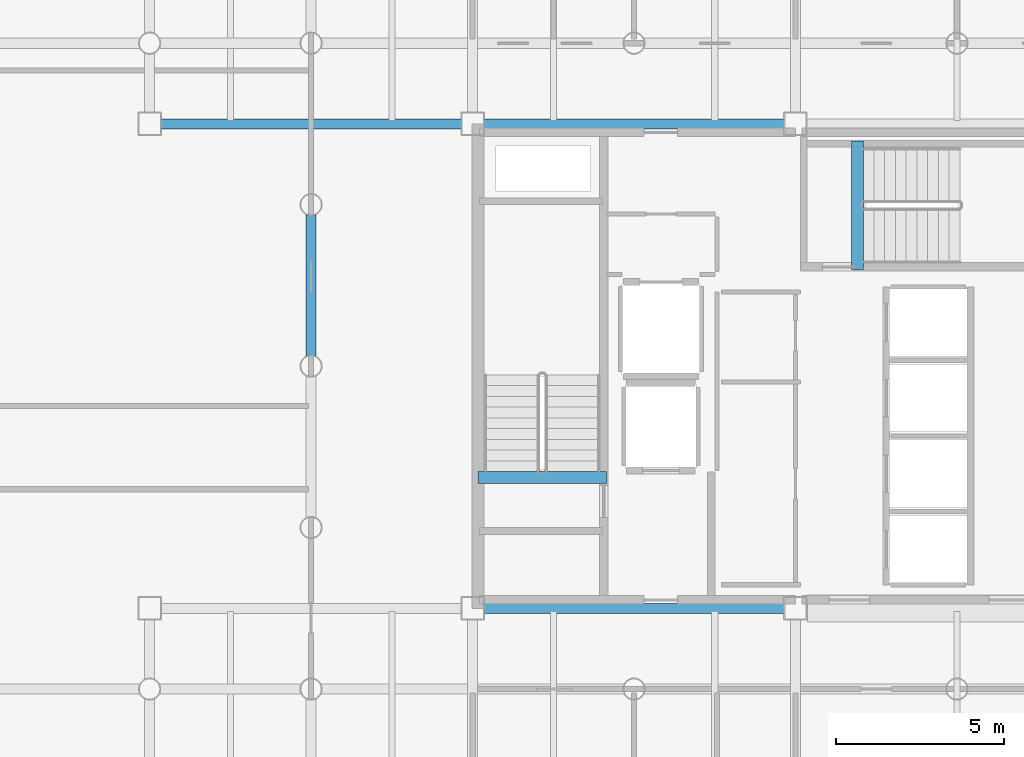
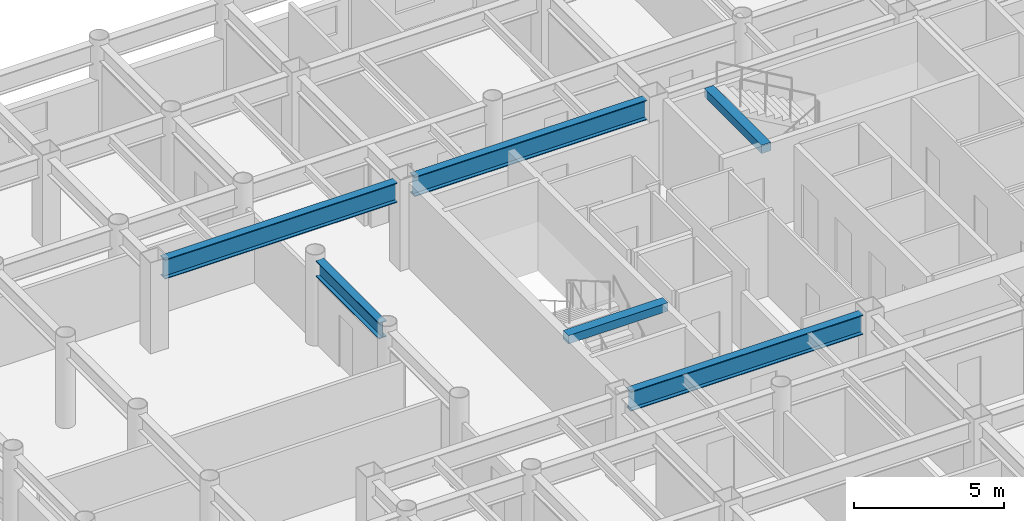
# One storey, part 5 of 20: 6 beams.
"""IFC4 building model written with IfcOpenShell, lengths in metres."""

from ifc_helpers import new_model, si_unit, direction, frame, origin, origin_2d, place, context, subcontext, project, spatial, rectangle, i_section, extrude, material, material_profile, profile_set, type_object, element, save


model = new_model("IFC4")

# Units and contexts
model_context = context("Model", 3, precision=1e-05, world=origin(), true_north=direction((0.0, 1.0)))
body_context = subcontext(model_context, "Body", "Model", "MODEL_VIEW")
ifc_project = project(units=[si_unit("LENGTHUNIT", "METRE"), si_unit("AREAUNIT", "SQUARE_METRE"), si_unit("VOLUMEUNIT", "CUBIC_METRE"), si_unit("PLANEANGLEUNIT", "RADIAN"), si_unit("MASSUNIT", "GRAM", prefix="KILO")], contexts=[model_context])

# Site, building, storey
site_placement = place(None, origin())
site = spatial("IfcSite", under=ifc_project, at=site_placement, CompositionType="ELEMENT")
building_placement = place(site_placement, origin())
building = spatial("IfcBuilding", under=site, at=building_placement, Name="Kallvorn Hotel Tower", CompositionType="ELEMENT")
storey_placement = place(building_placement, frame((0.0, 0.0, 176.60009765625)))
storey = spatial("IfcBuildingStorey", under=building, at=storey_placement, Name="L44", CompositionType="ELEMENT", Elevation=176.60009765625)

# Beams
ifc_material_1 = material(Name="Structural steel S355JR", Category="steel")
ifc_material_profile_1 = material_profile(ifc_material_1, i_section(OverallWidth=0.300048828125, OverallDepth=0.64990234375, WebThickness=0.01611328125, FlangeThickness=0.031005859375, at=origin_2d()), Name="HE 650 B")
ifc_profile_set_1 = profile_set([ifc_material_profile_1], Name="Structural steel S355JR")
beam_type_1 = type_object("IfcBeamType", Name="BM_HE650B", PredefinedType="BEAM", material=ifc_profile_set_1)
beam_1_placement = place(storey_placement, frame((-19.199951171875, 0.304931640625, 3.15478515625), z_axis=(0.0, 1.0, 0.0), x_axis=(-1.0, 0.0, 0.0)))
element("IfcBeam", 1, at=beam_1_placement, inside=storey, type_object=beam_type_1, Name="L45 Primary Y-Girder 94", PredefinedType="BEAM", context=body_context, shape_type="SweptSolid", body=[
    extrude(i_section(OverallWidth=0.300048828125, OverallDepth=0.64990234375, WebThickness=0.01611328125, FlangeThickness=0.031005859375, at=origin_2d()), origin(), (0.0, 0.0, 1.0), 4.190185546875),
])
ifc_material_2 = material(Name="Structural steel S355JR", Category="steel")
ifc_material_profile_2 = material_profile(ifc_material_2, i_section(OverallWidth=0.300048828125, OverallDepth=0.800048828125, WebThickness=0.017578125, FlangeThickness=0.032958984375, at=origin_2d()), Name="HE 800 B")
ifc_profile_set_2 = profile_set([ifc_material_profile_2], Name="Structural steel S355JR")
beam_type_2 = type_object("IfcBeamType", Name="BM_HE800B", PredefinedType="BEAM", material=ifc_profile_set_2)
for number, where, z_axis, x_axis, name in (
    (2, (-14.074951171875, -7.199951171875, 3.079833984375), (1.0, 0.0, 0.0), (0.0, 1.0, 0.0), "L45 Primary X-Girder 34"),
    (3, (-23.675048828125, 7.199951171875, 3.079833984375), (1.0, 0.0, 0.0), (0.0, 1.0, 0.0), "L45 Primary X-Girder 37"),
    (4, (-14.074951171875, 7.199951171875, 3.079833984375), (1.0, 0.0, 0.0), (0.0, 1.0, 0.0), "L45 Primary X-Girder 38"),
):
    element("IfcBeam", number, at=place(storey_placement, frame(where, z_axis=z_axis, x_axis=x_axis)), inside=storey, type_object=beam_type_2, Name=name, PredefinedType="BEAM", context=body_context, shape_type="SweptSolid", body=[
        extrude(i_section(OverallWidth=0.300048828125, OverallDepth=0.800048828125, WebThickness=0.017578125, FlangeThickness=0.032958984375, at=origin_2d()), origin(), (0.0, 0.0, 1.0), 8.949951171875),
    ])
ifc_material_3 = material(Name="Concrete C50/60", Category="concrete")
ifc_material_profile_3 = material_profile(ifc_material_3, rectangle(XDim=0.360107421875, YDim=0.340087890625, at=origin_2d()), Name="RC 360x340")
ifc_profile_set_3 = profile_set([ifc_material_profile_3], Name="Concrete C50/60")
beam_type_3 = type_object("IfcBeamType", Name="BM_RC_400x360", PredefinedType="BEAM", material=ifc_profile_set_3)
beam_2_placement = place(storey_placement, frame((-10.419921875, -3.31005859375, 3.309814453125), z_axis=(-1.0, 0.0, 0.0), x_axis=(0.0, -1.0, 0.0)))
element("IfcBeam", 5, at=beam_2_placement, inside=storey, type_object=beam_type_3, Name="L45 Stair ST1 Arrival Trimmer Beam", PredefinedType="BEAM", context=body_context, shape_type="SweptSolid", body=[
    extrude(rectangle(XDim=0.360107421875, YDim=0.340087890625, at=origin_2d()), origin(), (0.0, 0.0, 1.0), 3.820068359375),
])
beam_3_placement = place(storey_placement, frame((-2.9599609375, 2.8701171875, 3.309814453125), z_axis=(0.0, 1.0, 0.0), x_axis=(-1.0, 0.0, 0.0)))
element("IfcBeam", 6, at=beam_3_placement, inside=storey, type_object=beam_type_3, Name="L45 Stair ST3 Arrival Trimmer Beam", PredefinedType="BEAM", context=body_context, shape_type="SweptSolid", body=[
    extrude(rectangle(XDim=0.360107421875, YDim=0.340087890625, at=origin_2d()), origin(), (0.0, 0.0, 1.0), 3.81982421875),
])

save(model, "model.ifc")
